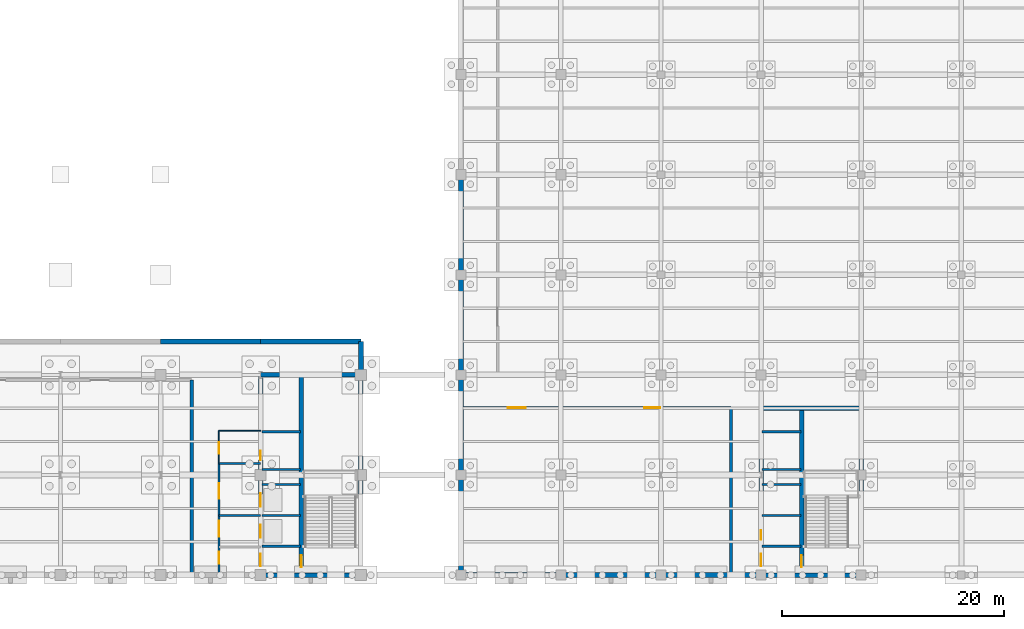
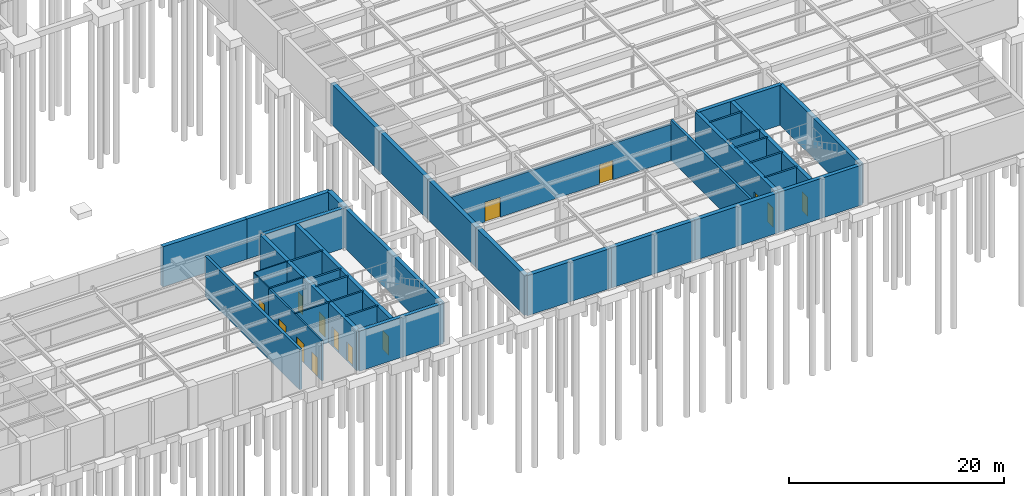
# One storey, part 41 of 49: 38 walls, 14 doors, 14 openings.
"""IFC4 building model written with IfcOpenShell, lengths in metres."""

from ifc_helpers import new_model, si_unit, direction, frame, frame_2d, origin, place, context, subcontext, project, spatial, rectangle, extrude, material, layer, layer_set, type_object, element, fill, save


model = new_model("IFC4")

# Units and contexts
model_context = context("Model", 3, precision=1e-05, world=origin(), true_north=direction((0.0, 1.0)))
body_context = subcontext(model_context, "Body", "Model", "MODEL_VIEW")
ifc_project = project(units=[si_unit("LENGTHUNIT", "METRE"), si_unit("AREAUNIT", "SQUARE_METRE"), si_unit("VOLUMEUNIT", "CUBIC_METRE"), si_unit("PLANEANGLEUNIT", "RADIAN"), si_unit("MASSUNIT", "GRAM", prefix="KILO")], contexts=[model_context])

# Site, building, storey
site_placement = place(None, origin())
site = spatial("IfcSite", under=ifc_project, at=site_placement, CompositionType="ELEMENT")
building_placement = place(site_placement, origin())
building = spatial("IfcBuilding", under=site, at=building_placement, Name="Lykobir Media Centre", CompositionType="ELEMENT")
storey_placement = place(building_placement, frame((0.0, 0.0, -4.800048828125)))
storey = spatial("IfcBuildingStorey", under=building, at=storey_placement, Name="B1", CompositionType="ELEMENT", Elevation=-4.800048828125)

# Walls
ifc_material_1 = material(Name="Concrete C35/45", Category="concrete")
ifc_layer_1 = layer(ifc_material_1, 0.449951171875, Name="Concrete C35/45")
ifc_layer_set_1 = layer_set([ifc_layer_1], Name="Concrete C35/45")
wall_type_1 = type_object("IfcWallType", Name="BW-RET-450", PredefinedType="USERDEFINED", material=ifc_layer_set_1)
for number, where, z_axis, x_axis, name in (
    (1, (90.0, 9.0, 0.0), (0.0, 0.0, 1.0), (0.0, -1.0, 0.0), "Basement retaining wall WALL-B1-0014"),
    (2, (90.0, 18.0, 0.0), (0.0, 0.0, 1.0), (0.0, -1.0, 0.0), "Basement retaining wall WALL-B1-0015"),
    (3, (90.0, 27.0, 0.0), (0.0, 0.0, 1.0), (0.0, -1.0, 0.0), "Basement retaining wall WALL-B1-0016"),
    (4, (90.0, 36.0, 0.0), (0.0, 0.0, 1.0), (0.0, -1.0, 0.0), "Basement retaining wall WALL-B1-0017"),
    (5, (90.0, 0.0, 0.0), (0.0, 0.0, 1.0), (1.0, 0.0, 0.0), "Basement retaining wall WALL-B1-0022"),
    (6, (99.0, 0.0, 0.0), (0.0, 0.0, 1.0), (1.0, 0.0, 0.0), "Basement retaining wall WALL-B1-0023"),
    (7, (108.0, 0.0, 0.0), (0.0, 0.0, 1.0), (1.0, 0.0, 0.0), "Basement retaining wall WALL-B1-0024"),
    (8, (72.0, 21.0, 0.0), (0.0, 0.0, 1.0), (-1.0, 0.0, 0.0), "Basement retaining wall WALL-B1-0034"),
    (9, (81.0, 21.0, 0.0), (0.0, 0.0, 1.0), (-1.0, 0.0, 0.0), "Basement retaining wall WALL-B1-0035"),
):
    element("IfcWall", number, at=place(storey_placement, frame(where, z_axis=z_axis, x_axis=x_axis)), inside=storey, type_object=wall_type_1, Name=name, ObjectType="RETAININGWALL", PredefinedType="USERDEFINED", context=body_context, shape_type="SweptSolid", body=[
        extrude(rectangle(XDim=9.0, YDim=0.449951171875, at=frame_2d((4.5, 0.0))), origin(), (0.0, 0.0, 1.0), 4.550048828125),
    ])
wall_1_placement = place(storey_placement, frame((81.0, 18.0, 0.0), z_axis=(0.0, 0.0, 1.0), x_axis=(0.0, 1.0, 0.0)))
element("IfcWall", 10, at=wall_1_placement, inside=storey, type_object=wall_type_1, Name="Basement retaining wall WALL-B1-0057", ObjectType="RETAININGWALL", PredefinedType="USERDEFINED", context=body_context, shape_type="SweptSolid", body=[
    extrude(rectangle(XDim=3.0, YDim=0.449951171875, at=frame_2d((1.5, 0.0))), origin(), (0.0, 0.0, 1.0), 4.550048828125),
])

# Wall, openings, doors
ifc_material_2 = material(Name="Acoustic Gypsum Board", Category="gypsum")
ifc_layer_2 = layer(ifc_material_2, 0.179931640625, Name="Acoustic Gypsum Board")
ifc_layer_set_2 = layer_set([ifc_layer_2], Name="Acoustic Gypsum Board")
wall_type_2 = type_object("IfcWallType", Name="IW-FFLOB-180", PredefinedType="PARTITIONING", material=ifc_layer_set_2)
wall_2_placement = place(storey_placement, frame((68.25, 0.219970703125, 0.0), z_axis=(0.0, 0.0, 1.0), x_axis=(0.0, 1.0, 0.0)))
wall_2 = element("IfcWall", 11, at=wall_2_placement, inside=storey, type_object=wall_type_2, Name="Wall IWALL-B1-0191", PredefinedType="PARTITIONING", context=body_context, shape_type="SweptSolid", body=[
    extrude(rectangle(XDim=9.830078125, YDim=0.179931640625, at=frame_2d((4.9150390625, 0.0))), origin(), (0.0, 0.0, 1.0), 4.550048828125),
])
opening_1_placement = place(wall_2_placement, frame((0.800048828125, 0.0, 0.0)))
opening_1 = element("IfcOpeningElement", 12, at=opening_1_placement, cuts=wall_2, Name="Opening D-B1-C2LV", PredefinedType="OPENING", context=body_context, shape_type="SweptSolid", body=[
    extrude(rectangle(XDim=1.10009765625, YDim=2.159912109375, at=frame_2d((0.550048828125, 1.080078125))), frame((0.0, 0.099853515625, 0.0), z_axis=(0.0, -1.0, 0.0), x_axis=(1.0, 0.0, 0.0)), (0.0, 0.0, 1.0), 0.199951171875),
])
opening_2_placement = place(wall_2_placement, frame((3.25, 0.0, 0.0)))
opening_2 = element("IfcOpeningElement", 13, at=opening_2_placement, cuts=wall_2, Name="Opening D-B1-C2PL", PredefinedType="OPENING", context=body_context, shape_type="SweptSolid", body=[
    extrude(rectangle(XDim=1.39990234375, YDim=2.199951171875, at=frame_2d((0.699951171875, 1.10009765625))), frame((0.0, 0.099853515625, 0.0), z_axis=(0.0, -1.0, 0.0), x_axis=(1.0, 0.0, 0.0)), (0.0, 0.0, 1.0), 0.199951171875),
])
opening_3_placement = place(wall_2_placement, frame((6.64990234375, 0.0, 0.0)))
opening_3 = element("IfcOpeningElement", 14, at=opening_3_placement, cuts=wall_2, Name="Opening D-B1-C2FF", PredefinedType="OPENING", context=body_context, shape_type="SweptSolid", body=[
    extrude(rectangle(XDim=1.39990234375, YDim=2.199951171875, at=frame_2d((0.699951171875, 1.10009765625))), frame((0.0, 0.099853515625, 0.0), z_axis=(0.0, -1.0, 0.0), x_axis=(1.0, 0.0, 0.0)), (0.0, 0.0, 1.0), 0.199951171875),
])
ifc_material_3 = material(Name="Acoustic Timber Panelling", Category="wood")
door_type_1 = type_object("IfcDoorType", Name="FD-1100x2160", OperationType="NOTDEFINED", PredefinedType="DOOR", material=ifc_material_3)
door_1_placement = place(opening_1_placement, origin())
door_1 = element("IfcDoor", 15, at=door_1_placement, inside=storey, type_object=door_type_1, Name="Door D-B1-C2LV", OperationType="SINGLE_SWING_RIGHT", OverallHeight=2.159912109375, OverallWidth=1.10009765625, PredefinedType="DOOR", context=body_context, shape_type="SweptSolid", body=[
    extrude(rectangle(XDim=1.10009765625, YDim=2.159912109375, at=frame_2d((0.550048828125, 1.080078125))), frame((0.0, 0.02490234375, 0.0), z_axis=(0.0, -1.0, 0.0), x_axis=(1.0, 0.0, 0.0)), (0.0, 0.0, 1.0), 0.050048828125),
])
fill(opening_1, door_1)
door_type_2 = type_object("IfcDoorType", Name="FD-1400x2200", OperationType="NOTDEFINED", PredefinedType="DOOR", material=ifc_material_3)
door_2_placement = place(opening_2_placement, origin())
door_2 = element("IfcDoor", 16, at=door_2_placement, inside=storey, type_object=door_type_2, Name="Door D-B1-C2PL", OperationType="DOUBLE_DOOR_SINGLE_SWING", OverallHeight=2.199951171875, OverallWidth=1.39990234375, PredefinedType="DOOR", context=body_context, shape_type="SweptSolid", body=[
    extrude(rectangle(XDim=1.39990234375, YDim=2.199951171875, at=frame_2d((0.699951171875, 1.10009765625))), frame((0.0, 0.02490234375, 0.0), z_axis=(0.0, -1.0, 0.0), x_axis=(1.0, 0.0, 0.0)), (0.0, 0.0, 1.0), 0.050048828125),
])
fill(opening_2, door_2)
door_3_placement = place(opening_3_placement, origin())
door_3 = element("IfcDoor", 17, at=door_3_placement, inside=storey, type_object=door_type_2, Name="Door D-B1-C2FF", OperationType="DOUBLE_DOOR_SINGLE_SWING", OverallHeight=2.199951171875, OverallWidth=1.39990234375, PredefinedType="DOOR", context=body_context, shape_type="SweptSolid", body=[
    extrude(rectangle(XDim=1.39990234375, YDim=2.199951171875, at=frame_2d((0.699951171875, 1.10009765625))), frame((0.0, 0.02490234375, 0.0), z_axis=(0.0, -1.0, 0.0), x_axis=(1.0, 0.0, 0.0)), (0.0, 0.0, 1.0), 0.050048828125),
])
fill(opening_3, door_3)

# Walls
for number, where, z_axis, x_axis, name in (
    (18, (68.25, 5.35009765625, 0.0), (0.0, 0.0, 1.0), (1.0, 0.0, 0.0), "Wall IWALL-B1-0193"),
    (19, (68.25, 10.050048828125, 0.0), (0.0, 0.0, 1.0), (1.0, 0.0, 0.0), "Wall IWALL-B1-0194"),
):
    element("IfcWall", number, at=place(storey_placement, frame(where, z_axis=z_axis, x_axis=x_axis)), inside=storey, type_object=wall_type_2, Name=name, PredefinedType="PARTITIONING", context=body_context, shape_type="SweptSolid", body=[
        extrude(rectangle(XDim=3.75, YDim=0.179931640625, at=frame_2d((1.875, 0.0))), origin(), (0.0, 0.0, 1.0), 4.550048828125),
    ])
ifc_material_4 = material(Name="Concrete C30/37", Category="concrete")
ifc_layer_3 = layer(ifc_material_4, 0.199951171875, Name="Concrete C30/37")
ifc_layer_set_3 = layer_set([ifc_layer_3], Name="Concrete C30/37")
wall_type_3 = type_object("IfcWallType", Name="IW-SHAFT-200", PredefinedType="PARTITIONING", material=ifc_layer_set_3)
for number, where, z_axis, x_axis, name in (
    (20, (72.10009765625, 2.60009765625, 0.0), (0.0, 0.0, 1.0), (1.0, 0.0, 0.0), "Wall IWALL-B1-0186"),
    (21, (72.10009765625, 5.35009765625, 0.0), (0.0, 0.0, 1.0), (1.0, 0.0, 0.0), "Wall IWALL-B1-0187"),
    (22, (72.10009765625, 8.14990234375, 0.0), (0.0, 0.0, 1.0), (1.0, 0.0, 0.0), "Wall IWALL-B1-0188"),
    (23, (72.10009765625, 9.5, 0.0), (0.0, 0.0, 1.0), (1.0, 0.0, 0.0), "Wall IWALL-B1-0189"),
    (24, (72.10009765625, 12.89990234375, 0.0), (0.0, 0.0, 1.0), (1.0, 0.0, 0.0), "Wall IWALL-B1-0190"),
    (25, (117.10009765625, 2.60009765625, 0.0), (0.0, 0.0, 1.0), (1.0, 0.0, 0.0), "Wall IWALL-B1-0579"),
    (26, (117.10009765625, 5.35009765625, 0.0), (0.0, 0.0, 1.0), (1.0, 0.0, 0.0), "Wall IWALL-B1-0580"),
    (27, (117.10009765625, 8.14990234375, 0.0), (0.0, 0.0, 1.0), (1.0, 0.0, 0.0), "Wall IWALL-B1-0581"),
    (28, (117.10009765625, 9.5, 0.0), (0.0, 0.0, 1.0), (1.0, 0.0, 0.0), "Wall IWALL-B1-0582"),
    (29, (117.10009765625, 12.89990234375, 0.0), (0.0, 0.0, 1.0), (1.0, 0.0, 0.0), "Wall IWALL-B1-0583"),
):
    element("IfcWall", number, at=place(storey_placement, frame(where, z_axis=z_axis, x_axis=x_axis)), inside=storey, type_object=wall_type_3, Name=name, PredefinedType="PARTITIONING", context=body_context, shape_type="SweptSolid", body=[
        extrude(rectangle(XDim=3.5, YDim=0.199951171875, at=frame_2d((1.75, 0.0))), origin(), (0.0, 0.0, 1.0), 4.550048828125),
    ])

# Wall, openings, doors
ifc_layer_4 = layer(ifc_material_2, 0.260009765625, Name="Acoustic Gypsum Board")
ifc_layer_set_4 = layer_set([ifc_layer_4], Name="Acoustic Gypsum Board")
wall_type_4 = type_object("IfcWallType", Name="IW-STU-260", PredefinedType="PARTITIONING", material=ifc_layer_set_4)
wall_3_placement = place(storey_placement, frame((90.0, 15.050048828125, 0.0), z_axis=(0.0, 0.0, 1.0), x_axis=(1.0, 0.0, 0.0)))
wall_3 = element("IfcWall", 30, at=wall_3_placement, inside=storey, type_object=wall_type_4, Name="Wall IWALL-B1-0650", PredefinedType="PARTITIONING", context=body_context, shape_type="SweptSolid", body=[
    extrude(rectangle(XDim=24.300048828125, YDim=0.260009765625, at=frame_2d((12.14990234375, 0.0))), origin(), (0.0, 0.0, 1.0), 4.0849609375),
])
opening_4_placement = place(wall_3_placement, frame((4.199951171875, 0.0, 0.0)))
opening_4 = element("IfcOpeningElement", 31, at=opening_4_placement, cuts=wall_3, Name="Opening D-B1-ES1", PredefinedType="OPENING", context=body_context, shape_type="SweptSolid", body=[
    extrude(rectangle(XDim=1.64990234375, YDim=2.25, at=frame_2d((0.824951171875, 1.125))), frame((0.0, 0.139892578125, 0.0), z_axis=(0.0, -1.0, 0.0), x_axis=(1.0, 0.0, 0.0)), (0.0, 0.0, 1.0), 0.280029296875),
])
opening_5_placement = place(wall_3_placement, frame((16.5, 0.0, 0.0)))
opening_5 = element("IfcOpeningElement", 32, at=opening_5_placement, cuts=wall_3, Name="Opening D-B1-ES2", PredefinedType="OPENING", context=body_context, shape_type="SweptSolid", body=[
    extrude(rectangle(XDim=1.449951171875, YDim=2.219970703125, at=frame_2d((0.72509765625, 1.10986328125))), frame((0.0, 0.139892578125, 0.0), z_axis=(0.0, -1.0, 0.0), x_axis=(1.0, 0.0, 0.0)), (0.0, 0.0, 1.0), 0.280029296875),
])
door_type_3 = type_object("IfcDoorType", Name="FD-1450x2220", OperationType="NOTDEFINED", PredefinedType="DOOR", material=ifc_material_3)
door_4_placement = place(opening_5_placement, origin())
door_4 = element("IfcDoor", 33, at=door_4_placement, inside=storey, type_object=door_type_3, Name="Door D-B1-ES2", OperationType="DOUBLE_DOOR_SINGLE_SWING", OverallHeight=2.219970703125, OverallWidth=1.449951171875, PredefinedType="DOOR", context=body_context, shape_type="SweptSolid", body=[
    extrude(rectangle(XDim=1.449951171875, YDim=2.219970703125, at=frame_2d((0.72509765625, 1.10986328125))), frame((0.0, 0.02490234375, 0.0), z_axis=(0.0, -1.0, 0.0), x_axis=(1.0, 0.0, 0.0)), (0.0, 0.0, 1.0), 0.050048828125),
])
fill(opening_5, door_4)
door_type_4 = type_object("IfcDoorType", Name="FD-1650x2250", OperationType="NOTDEFINED", PredefinedType="DOOR", material=ifc_material_3)
door_5_placement = place(opening_4_placement, origin())
door_5 = element("IfcDoor", 34, at=door_5_placement, inside=storey, type_object=door_type_4, Name="Door D-B1-ES1", OperationType="DOUBLE_DOOR_SINGLE_SWING", OverallHeight=2.25, OverallWidth=1.64990234375, PredefinedType="DOOR", context=body_context, shape_type="SweptSolid", body=[
    extrude(rectangle(XDim=1.64990234375, YDim=2.25, at=frame_2d((0.824951171875, 1.125))), frame((0.0, 0.02490234375, 0.0), z_axis=(0.0, -1.0, 0.0), x_axis=(1.0, 0.0, 0.0)), (0.0, 0.0, 1.0), 0.050048828125),
])
fill(opening_4, door_5)

# Wall
wall_4_placement = place(storey_placement, frame((114.300048828125, 0.219970703125, 0.0), z_axis=(0.0, 0.0, 1.0), x_axis=(0.0, 1.0, 0.0)))
element("IfcWall", 35, at=wall_4_placement, inside=storey, type_object=wall_type_4, Name="Wall IWALL-B1-0651", PredefinedType="PARTITIONING", context=body_context, shape_type="SweptSolid", body=[
    extrude(rectangle(XDim=14.830078125, YDim=0.260009765625, at=frame_2d((7.4150390625, 0.0))), origin(), (0.0, 0.0, 1.0), 4.550048828125),
])

# Wall, opening, door
ifc_layer_5 = layer(ifc_material_2, 0.094970703125, Name="Acoustic Gypsum Board")
ifc_layer_set_5 = layer_set([ifc_layer_5], Name="Acoustic Gypsum Board")
wall_type_5 = type_object("IfcWallType", Name="IW-WC-095", PredefinedType="PARTITIONING", material=ifc_layer_set_5)
wall_5_placement = place(storey_placement, frame((68.25, 10.050048828125, 0.0), z_axis=(0.0, 0.0, 1.0), x_axis=(0.0, 1.0, 0.0)))
wall_5 = element("IfcWall", 36, at=wall_5_placement, inside=storey, type_object=wall_type_5, Name="Wall IWALL-B1-0195", PredefinedType="PARTITIONING", context=body_context, shape_type="SweptSolid", body=[
    extrude(rectangle(XDim=2.949951171875, YDim=0.094970703125, at=frame_2d((1.47509765625, 0.0))), origin(), (0.0, 0.0, 1.0), 4.550048828125),
])
opening_6_placement = place(wall_5_placement, frame((0.85009765625, 0.0, 0.0)))
opening_6 = element("IfcOpeningElement", 37, at=opening_6_placement, cuts=wall_5, Name="Opening D-B1-WCA2", PredefinedType="OPENING", context=body_context, shape_type="SweptSolid", body=[
    extrude(rectangle(XDim=1.050048828125, YDim=2.1298828125, at=frame_2d((0.52490234375, 1.06494140625))), frame((0.0, 0.057373046875, 0.0), z_axis=(0.0, -1.0, 0.0), x_axis=(1.0, 0.0, 0.0)), (0.0, 0.0, 1.0), 0.114990234375),
])
door_type_5 = type_object("IfcDoorType", Name="ID-1050x2130", OperationType="NOTDEFINED", PredefinedType="DOOR", material=ifc_material_3)
door_6_placement = place(opening_6_placement, origin())
door_6 = element("IfcDoor", 38, at=door_6_placement, inside=storey, type_object=door_type_5, Name="Door D-B1-WCA2", OperationType="SINGLE_SWING_LEFT", OverallHeight=2.1298828125, OverallWidth=1.050048828125, PredefinedType="DOOR", context=body_context, shape_type="SweptSolid", body=[
    extrude(rectangle(XDim=1.050048828125, YDim=2.1298828125, at=frame_2d((0.52490234375, 1.06494140625))), frame((0.0, 0.02490234375, 0.0), z_axis=(0.0, -1.0, 0.0), x_axis=(1.0, 0.0, 0.0)), (0.0, 0.0, 1.0), 0.050048828125),
])
fill(opening_6, door_6)

# Walls
wall_6_placement = place(storey_placement, frame((68.25, 13.0, 0.0), z_axis=(0.0, 0.0, 1.0), x_axis=(1.0, 0.0, 0.0)))
element("IfcWall", 39, at=wall_6_placement, inside=storey, type_object=wall_type_5, Name="Wall IWALL-B1-0196", PredefinedType="PARTITIONING", context=body_context, shape_type="SweptSolid", body=[
    extrude(rectangle(XDim=3.75, YDim=0.094970703125, at=frame_2d((1.875, 0.0))), origin(), (0.0, 0.0, 1.0), 4.550048828125),
])
ifc_material_5 = material(Name="Concrete C40/50", Category="concrete")
ifc_layer_6 = layer(ifc_material_5, 0.300048828125, Name="Concrete C40/50")
ifc_layer_set_6 = layer_set([ifc_layer_6], Name="Concrete C40/50")
wall_type_6 = type_object("IfcWallType", Name="SW-COMP-300", PredefinedType="SHEAR", material=ifc_layer_set_6)
wall_7_placement = place(storey_placement, frame((65.800048828125, 0.0, 0.0), z_axis=(0.0, 0.0, 1.0), x_axis=(0.0, 1.0, 0.0)))
element("IfcWall", 40, at=wall_7_placement, inside=storey, type_object=wall_type_6, Name="Wall IWALL-B1-0646", PredefinedType="SHEAR", context=body_context, shape_type="SweptSolid", body=[
    extrude(rectangle(XDim=17.550048828125, YDim=0.300048828125, at=frame_2d((8.77490234375, 0.0))), origin(), (0.0, 0.0, 1.0), 4.550048828125),
])
ifc_layer_7 = layer(ifc_material_5, 0.39990234375, Name="Concrete C40/50")
ifc_layer_set_7 = layer_set([ifc_layer_7], Name="Concrete C40/50")
wall_type_7 = type_object("IfcWallType", Name="SW-CORE-400", PredefinedType="SHEAR", material=ifc_layer_set_7)
wall_8_placement = place(storey_placement, frame((72.0, 0.0, 0.0), z_axis=(0.0, 0.0, 1.0), x_axis=(1.0, 0.0, 0.0)))
element("IfcWall", 41, at=wall_8_placement, inside=storey, type_object=wall_type_7, Name="Wall IWALL-B1-0181", PredefinedType="SHEAR", context=body_context, shape_type="SweptSolid", body=[
    extrude(rectangle(XDim=9.0, YDim=0.39990234375, at=frame_2d((4.5, 0.0))), origin(), (0.0, 0.0, 1.0), 4.550048828125),
])
wall_9_placement = place(storey_placement, frame((81.0, 0.0, 0.0), z_axis=(0.0, 0.0, 1.0), x_axis=(0.0, 1.0, 0.0)))
element("IfcWall", 42, at=wall_9_placement, inside=storey, type_object=wall_type_7, Name="Wall IWALL-B1-0182", PredefinedType="SHEAR", context=body_context, shape_type="SweptSolid", body=[
    extrude(rectangle(XDim=18.0, YDim=0.39990234375, at=frame_2d((9.0, 0.0))), origin(), (0.0, 0.0, 1.0), 4.550048828125),
])
wall_10_placement = place(storey_placement, frame((81.0, 18.0, 0.0), z_axis=(0.0, 0.0, 1.0), x_axis=(-1.0, 0.0, 0.0)))
element("IfcWall", 43, at=wall_10_placement, inside=storey, type_object=wall_type_7, Name="Wall IWALL-B1-0183", PredefinedType="SHEAR", context=body_context, shape_type="SweptSolid", body=[
    extrude(rectangle(XDim=9.0, YDim=0.39990234375, at=frame_2d((4.5, 0.0))), origin(), (0.0, 0.0, 1.0), 4.550048828125),
])

# Wall, openings, doors
wall_11_placement = place(storey_placement, frame((72.0, 18.0, 0.0), z_axis=(0.0, 0.0, 1.0), x_axis=(0.0, -1.0, 0.0)))
wall_11 = element("IfcWall", 44, at=wall_11_placement, inside=storey, type_object=wall_type_7, Name="Wall IWALL-B1-0184", PredefinedType="SHEAR", context=body_context, shape_type="SweptSolid", body=[
    extrude(rectangle(XDim=18.0, YDim=0.39990234375, at=frame_2d((9.0, 0.0))), origin(), (0.0, 0.0, 1.0), 4.550048828125),
])
opening_7_placement = place(wall_11_placement, frame((16.10009765625, 0.0, 0.0)))
opening_7 = element("IfcOpeningElement", 45, at=opening_7_placement, cuts=wall_11, Name="Opening D-B1-C2VB", PredefinedType="OPENING", context=body_context, shape_type="SweptSolid", body=[
    extrude(rectangle(XDim=1.10009765625, YDim=2.159912109375, at=frame_2d((0.550048828125, 1.080078125))), frame((0.0, 0.2099609375, 0.0), z_axis=(0.0, -1.0, 0.0), x_axis=(1.0, 0.0, 0.0)), (0.0, 0.0, 1.0), 0.419921875),
])
opening_8_placement = place(wall_11_placement, frame((13.449951171875, 0.0, 0.0)))
opening_8 = element("IfcOpeningElement", 46, at=opening_8_placement, cuts=wall_11, Name="Opening LD-B1-PL-2", PredefinedType="OPENING", context=body_context, shape_type="SweptSolid", body=[
    extrude(rectangle(XDim=1.199951171875, YDim=2.199951171875, at=frame_2d((0.60009765625, 1.10009765625))), frame((0.0, 0.2099609375, 0.0), z_axis=(0.0, -1.0, 0.0), x_axis=(1.0, 0.0, 0.0)), (0.0, 0.0, 1.0), 0.419921875),
])
opening_9_placement = place(wall_11_placement, frame((10.64990234375, 0.0, 0.0)))
opening_9 = element("IfcOpeningElement", 47, at=opening_9_placement, cuts=wall_11, Name="Opening LD-B1-FL-2", PredefinedType="OPENING", context=body_context, shape_type="SweptSolid", body=[
    extrude(rectangle(XDim=1.199951171875, YDim=2.199951171875, at=frame_2d((0.60009765625, 1.10009765625))), frame((0.0, 0.2099609375, 0.0), z_axis=(0.0, -1.0, 0.0), x_axis=(1.0, 0.0, 0.0)), (0.0, 0.0, 1.0), 0.419921875),
])
opening_10_placement = place(wall_11_placement, frame((6.800048828125, 0.0, 0.0)))
opening_10 = element("IfcOpeningElement", 48, at=opening_10_placement, cuts=wall_11, Name="Opening D-B1-C2RS", PredefinedType="OPENING", context=body_context, shape_type="SweptSolid", body=[
    extrude(rectangle(XDim=0.85009765625, YDim=2.10009765625, at=frame_2d((0.425048828125, 1.050048828125))), frame((0.0, 0.2099609375, 0.0), z_axis=(0.0, -1.0, 0.0), x_axis=(1.0, 0.0, 0.0)), (0.0, 0.0, 1.0), 0.419921875),
])
ifc_material_6 = material(Name="Anodized Aluminium AW-6060", Category="aluminium")
door_type_6 = type_object("IfcDoorType", Name="FD-0850x2100", OperationType="NOTDEFINED", PredefinedType="DOOR", material=ifc_material_6)
door_7_placement = place(opening_10_placement, origin())
door_7 = element("IfcDoor", 49, at=door_7_placement, inside=storey, type_object=door_type_6, Name="Riser access door C2 B1", OperationType="SINGLE_SWING_LEFT", OverallHeight=2.10009765625, OverallWidth=0.85009765625, PredefinedType="DOOR", context=body_context, shape_type="SweptSolid", body=[
    extrude(rectangle(XDim=0.85009765625, YDim=2.10009765625, at=frame_2d((0.425048828125, 1.050048828125))), frame((0.0, 0.02490234375, 0.0), z_axis=(0.0, -1.0, 0.0), x_axis=(1.0, 0.0, 0.0)), (0.0, 0.0, 1.0), 0.050048828125),
])
fill(opening_10, door_7)
door_8_placement = place(opening_7_placement, origin())
door_8 = element("IfcDoor", 50, at=door_8_placement, inside=storey, type_object=door_type_1, Name="Door D-B1-C2VB", OperationType="SINGLE_SWING_RIGHT", OverallHeight=2.159912109375, OverallWidth=1.10009765625, PredefinedType="DOOR", context=body_context, shape_type="SweptSolid", body=[
    extrude(rectangle(XDim=1.10009765625, YDim=2.159912109375, at=frame_2d((0.550048828125, 1.080078125))), frame((0.0, 0.02490234375, 0.0), z_axis=(0.0, -1.0, 0.0), x_axis=(1.0, 0.0, 0.0)), (0.0, 0.0, 1.0), 0.050048828125),
])
fill(opening_7, door_8)
door_type_7 = type_object("IfcDoorType", Name="LD-1200x2200", OperationType="NOTDEFINED", PredefinedType="DOOR", material=ifc_material_6)
door_9_placement = place(opening_8_placement, origin())
door_9 = element("IfcDoor", 51, at=door_9_placement, inside=storey, type_object=door_type_7, Name="Lift landing door PL-2 B1", OperationType="SLIDING_TO_LEFT", OverallHeight=2.199951171875, OverallWidth=1.199951171875, PredefinedType="DOOR", context=body_context, shape_type="SweptSolid", body=[
    extrude(rectangle(XDim=1.199951171875, YDim=2.199951171875, at=frame_2d((0.60009765625, 1.10009765625))), frame((0.0, 0.02490234375, 0.0), z_axis=(0.0, -1.0, 0.0), x_axis=(1.0, 0.0, 0.0)), (0.0, 0.0, 1.0), 0.050048828125),
])
fill(opening_8, door_9)
door_10_placement = place(opening_9_placement, origin())
door_10 = element("IfcDoor", 52, at=door_10_placement, inside=storey, type_object=door_type_7, Name="Firefighting lift landing door FL-2 B1", OperationType="SLIDING_TO_LEFT", OverallHeight=2.199951171875, OverallWidth=1.199951171875, PredefinedType="DOOR", context=body_context, shape_type="SweptSolid", body=[
    extrude(rectangle(XDim=1.199951171875, YDim=2.199951171875, at=frame_2d((0.60009765625, 1.10009765625))), frame((0.0, 0.02490234375, 0.0), z_axis=(0.0, -1.0, 0.0), x_axis=(1.0, 0.0, 0.0)), (0.0, 0.0, 1.0), 0.050048828125),
])
fill(opening_9, door_10)

# Wall, opening, door
wall_12_placement = place(storey_placement, frame((75.64990234375, 0.0, 0.0), z_axis=(0.0, 0.0, 1.0), x_axis=(0.0, 1.0, 0.0)))
wall_12 = element("IfcWall", 53, at=wall_12_placement, inside=storey, type_object=wall_type_7, Name="Wall IWALL-B1-0185", PredefinedType="SHEAR", context=body_context, shape_type="SweptSolid", body=[
    extrude(rectangle(XDim=18.0, YDim=0.39990234375, at=frame_2d((9.0, 0.0))), origin(), (0.0, 0.0, 1.0), 4.550048828125),
])
opening_11_placement = place(wall_12_placement, frame((0.699951171875, 0.0, 0.0)))
opening_11 = element("IfcOpeningElement", 54, at=opening_11_placement, cuts=wall_12, Name="Opening D-B1-C2ST", PredefinedType="OPENING", context=body_context, shape_type="SweptSolid", body=[
    extrude(rectangle(XDim=1.10009765625, YDim=2.159912109375, at=frame_2d((0.550048828125, 1.080078125))), frame((0.0, 0.2099609375, 0.0), z_axis=(0.0, -1.0, 0.0), x_axis=(1.0, 0.0, 0.0)), (0.0, 0.0, 1.0), 0.419921875),
])
door_11_placement = place(opening_11_placement, origin())
door_11 = element("IfcDoor", 55, at=door_11_placement, inside=storey, type_object=door_type_1, Name="B1 ST-2 stairwell fire door", OperationType="SINGLE_SWING_LEFT", OverallHeight=2.159912109375, OverallWidth=1.10009765625, PredefinedType="DOOR", context=body_context, shape_type="SweptSolid", body=[
    extrude(rectangle(XDim=1.10009765625, YDim=2.159912109375, at=frame_2d((0.550048828125, 1.080078125))), frame((0.0, 0.02490234375, 0.0), z_axis=(0.0, -1.0, 0.0), x_axis=(1.0, 0.0, 0.0)), (0.0, 0.0, 1.0), 0.050048828125),
])
fill(opening_11, door_11)

# Walls
wall_13_placement = place(storey_placement, frame((117.0, 0.0, 0.0), z_axis=(0.0, 0.0, 1.0), x_axis=(1.0, 0.0, 0.0)))
element("IfcWall", 56, at=wall_13_placement, inside=storey, type_object=wall_type_7, Name="Wall IWALL-B1-0574", PredefinedType="SHEAR", context=body_context, shape_type="SweptSolid", body=[
    extrude(rectangle(XDim=9.0, YDim=0.39990234375, at=frame_2d((4.5, 0.0))), origin(), (0.0, 0.0, 1.0), 4.550048828125),
])
wall_14_placement = place(storey_placement, frame((126.0, 0.0, 0.0), z_axis=(0.0, 0.0, 1.0), x_axis=(0.0, 1.0, 0.0)))
element("IfcWall", 57, at=wall_14_placement, inside=storey, type_object=wall_type_7, Name="Wall IWALL-B1-0575", PredefinedType="SHEAR", context=body_context, shape_type="SweptSolid", body=[
    extrude(rectangle(XDim=15.0, YDim=0.39990234375, at=frame_2d((7.5, 0.0))), origin(), (0.0, 0.0, 1.0), 4.550048828125),
])
wall_15_placement = place(storey_placement, frame((126.0, 15.0, 0.0), z_axis=(0.0, 0.0, 1.0), x_axis=(-1.0, 0.0, 0.0)))
element("IfcWall", 58, at=wall_15_placement, inside=storey, type_object=wall_type_7, Name="Wall IWALL-B1-0576", PredefinedType="SHEAR", context=body_context, shape_type="SweptSolid", body=[
    extrude(rectangle(XDim=9.0, YDim=0.39990234375, at=frame_2d((4.5, 0.0))), origin(), (0.0, 0.0, 1.0), 4.550048828125),
])

# Wall, openings, doors
wall_16_placement = place(storey_placement, frame((117.0, 15.0, 0.0), z_axis=(0.0, 0.0, 1.0), x_axis=(0.0, -1.0, 0.0)))
wall_16 = element("IfcWall", 59, at=wall_16_placement, inside=storey, type_object=wall_type_7, Name="Wall IWALL-B1-0577", PredefinedType="SHEAR", context=body_context, shape_type="SweptSolid", body=[
    extrude(rectangle(XDim=15.0, YDim=0.39990234375, at=frame_2d((7.5, 0.0))), origin(), (0.0, 0.0, 1.0), 4.550048828125),
])
opening_12_placement = place(wall_16_placement, frame((13.10009765625, 0.0, 0.0)))
opening_12 = element("IfcOpeningElement", 60, at=opening_12_placement, cuts=wall_16, Name="Opening D-B1-C5VB", PredefinedType="OPENING", context=body_context, shape_type="SweptSolid", body=[
    extrude(rectangle(XDim=1.10009765625, YDim=2.159912109375, at=frame_2d((0.550048828125, 1.080078125))), frame((0.0, 0.2099609375, 0.0), z_axis=(0.0, -1.0, 0.0), x_axis=(1.0, 0.0, 0.0)), (0.0, 0.0, 1.0), 0.419921875),
])
opening_13_placement = place(wall_16_placement, frame((10.949951171875, 0.0, 0.0)))
opening_13 = element("IfcOpeningElement", 61, at=opening_13_placement, cuts=wall_16, Name="Opening D-B1-C5RS", PredefinedType="OPENING", context=body_context, shape_type="SweptSolid", body=[
    extrude(rectangle(XDim=0.85009765625, YDim=2.10009765625, at=frame_2d((0.425048828125, 1.050048828125))), frame((0.0, 0.2099609375, 0.0), z_axis=(0.0, -1.0, 0.0), x_axis=(1.0, 0.0, 0.0)), (0.0, 0.0, 1.0), 0.419921875),
])
door_12_placement = place(opening_13_placement, origin())
door_12 = element("IfcDoor", 62, at=door_12_placement, inside=storey, type_object=door_type_6, Name="Riser access door C5 B1", OperationType="SINGLE_SWING_LEFT", OverallHeight=2.10009765625, OverallWidth=0.85009765625, PredefinedType="DOOR", context=body_context, shape_type="SweptSolid", body=[
    extrude(rectangle(XDim=0.85009765625, YDim=2.10009765625, at=frame_2d((0.425048828125, 1.050048828125))), frame((0.0, 0.02490234375, 0.0), z_axis=(0.0, -1.0, 0.0), x_axis=(1.0, 0.0, 0.0)), (0.0, 0.0, 1.0), 0.050048828125),
])
fill(opening_13, door_12)
door_13_placement = place(opening_12_placement, origin())
door_13 = element("IfcDoor", 63, at=door_13_placement, inside=storey, type_object=door_type_1, Name="Door D-B1-C5VB", OperationType="SINGLE_SWING_RIGHT", OverallHeight=2.159912109375, OverallWidth=1.10009765625, PredefinedType="DOOR", context=body_context, shape_type="SweptSolid", body=[
    extrude(rectangle(XDim=1.10009765625, YDim=2.159912109375, at=frame_2d((0.550048828125, 1.080078125))), frame((0.0, 0.02490234375, 0.0), z_axis=(0.0, -1.0, 0.0), x_axis=(1.0, 0.0, 0.0)), (0.0, 0.0, 1.0), 0.050048828125),
])
fill(opening_12, door_13)

# Wall, opening, door
wall_17_placement = place(storey_placement, frame((120.64990234375, 0.0, 0.0), z_axis=(0.0, 0.0, 1.0), x_axis=(0.0, 1.0, 0.0)))
wall_17 = element("IfcWall", 64, at=wall_17_placement, inside=storey, type_object=wall_type_7, Name="Wall IWALL-B1-0578", PredefinedType="SHEAR", context=body_context, shape_type="SweptSolid", body=[
    extrude(rectangle(XDim=15.0, YDim=0.39990234375, at=frame_2d((7.5, 0.0))), origin(), (0.0, 0.0, 1.0), 4.550048828125),
])
opening_14_placement = place(wall_17_placement, frame((0.699951171875, 0.0, 0.0)))
opening_14 = element("IfcOpeningElement", 65, at=opening_14_placement, cuts=wall_17, Name="Opening D-B1-C5ST", PredefinedType="OPENING", context=body_context, shape_type="SweptSolid", body=[
    extrude(rectangle(XDim=1.10009765625, YDim=2.159912109375, at=frame_2d((0.550048828125, 1.080078125))), frame((0.0, 0.2099609375, 0.0), z_axis=(0.0, -1.0, 0.0), x_axis=(1.0, 0.0, 0.0)), (0.0, 0.0, 1.0), 0.419921875),
])
door_14_placement = place(opening_14_placement, origin())
door_14 = element("IfcDoor", 66, at=door_14_placement, inside=storey, type_object=door_type_1, Name="B1 ST-5 stairwell fire door", OperationType="SINGLE_SWING_LEFT", OverallHeight=2.159912109375, OverallWidth=1.10009765625, PredefinedType="DOOR", context=body_context, shape_type="SweptSolid", body=[
    extrude(rectangle(XDim=1.10009765625, YDim=2.159912109375, at=frame_2d((0.550048828125, 1.080078125))), frame((0.0, 0.02490234375, 0.0), z_axis=(0.0, -1.0, 0.0), x_axis=(1.0, 0.0, 0.0)), (0.0, 0.0, 1.0), 0.050048828125),
])
fill(opening_14, door_14)

save(model, "model.ifc")
